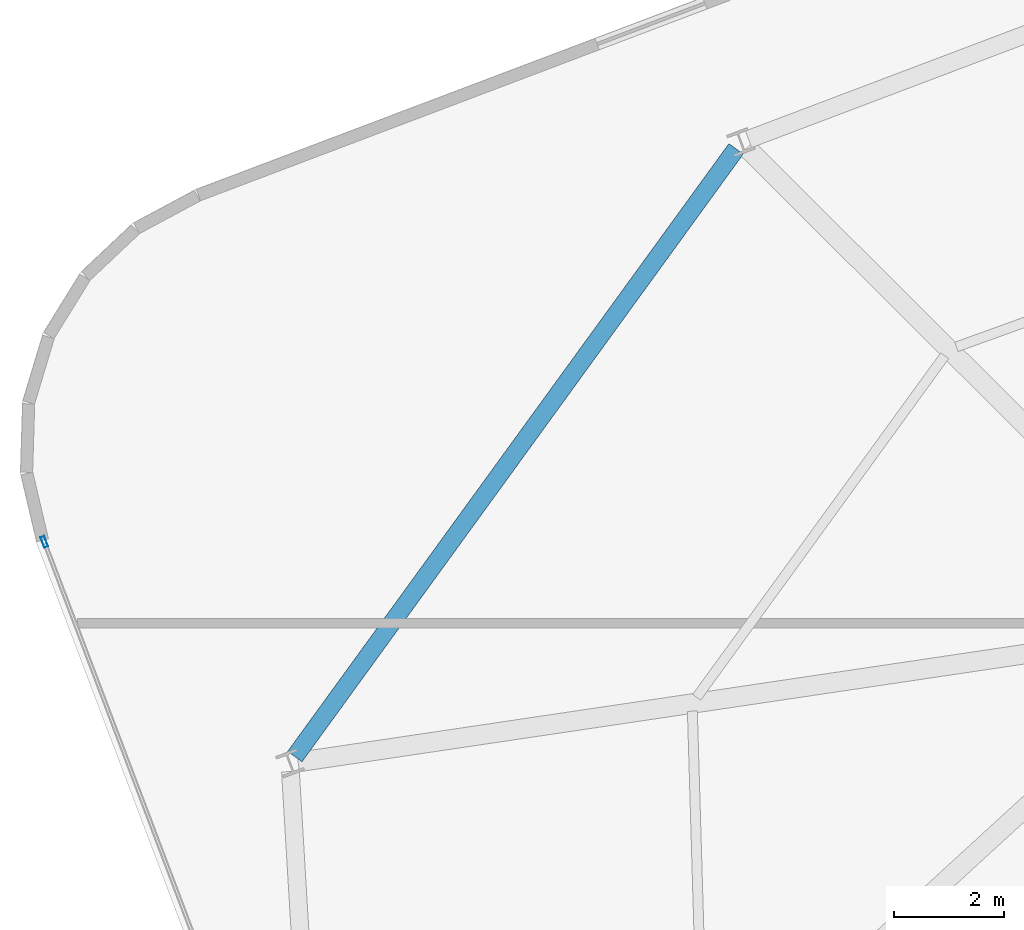
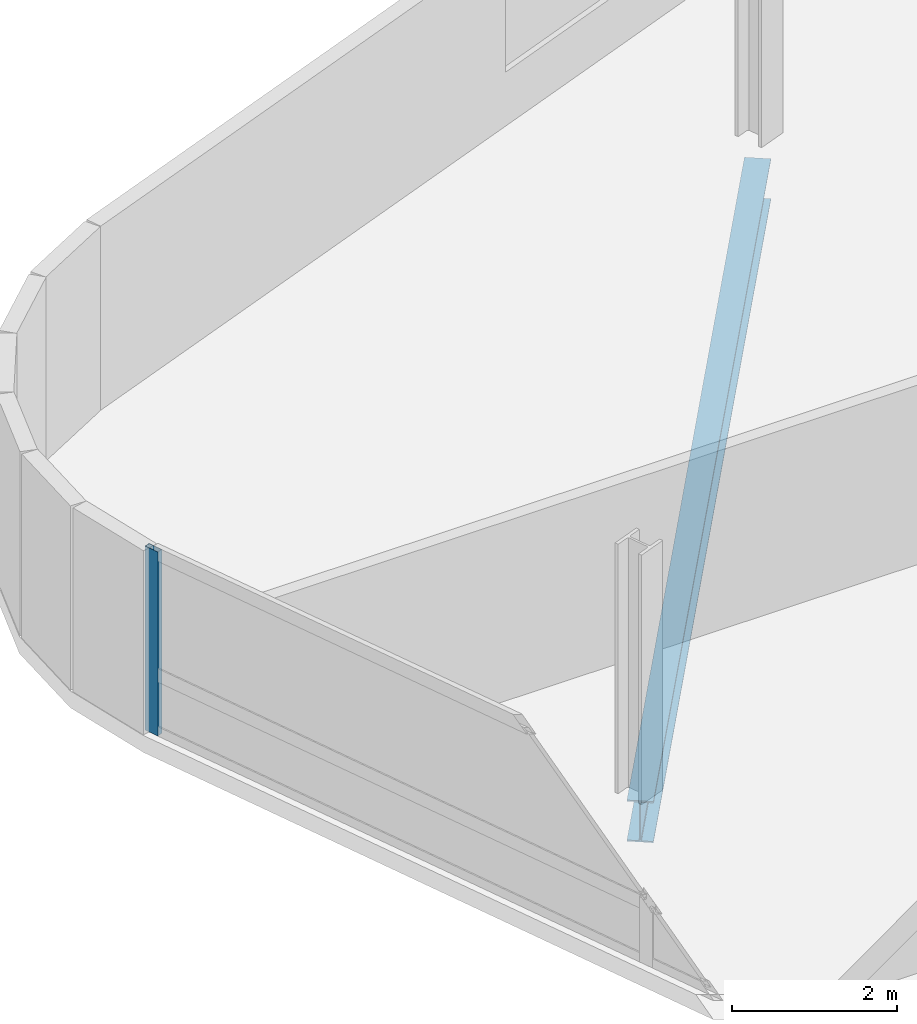
# One storey, part 8 of 20: 1 beam, 1 member, 1 element without a shape of its own.
"""IFC4 building model written with IfcOpenShell, lengths in metres."""

from ifc_helpers import new_model, si_unit, direction, frame, origin, origin_2d, place, context, subcontext, project, spatial, hollow_rectangle, i_section, extrude, material, layer, layer_set, material_profile, profile_set, type_object, element, aggregate, save


model = new_model("IFC4")

# Units and contexts
model_context = context("Model", 3, precision=1e-05, world=origin(), true_north=direction((0.0, 1.0)))
body_context = subcontext(model_context, "Body", "Model", "MODEL_VIEW")
ifc_project = project(units=[si_unit("LENGTHUNIT", "METRE"), si_unit("AREAUNIT", "SQUARE_METRE"), si_unit("VOLUMEUNIT", "CUBIC_METRE"), si_unit("PLANEANGLEUNIT", "RADIAN"), si_unit("MASSUNIT", "GRAM", prefix="KILO")], contexts=[model_context])

# Site, building, storey
site_placement = place(None, origin())
site = spatial("IfcSite", under=ifc_project, at=site_placement, CompositionType="ELEMENT")
building_placement = place(site_placement, origin())
building = spatial("IfcBuilding", under=site, at=building_placement, Name="Varnelok Gate Tower", CompositionType="ELEMENT")
storey_placement = place(building_placement, frame((0.0, 0.0, 216.39990234375)))
storey = spatial("IfcBuildingStorey", under=building, at=storey_placement, Name="L55", CompositionType="ELEMENT", Elevation=216.39990234375)

# Beam
ifc_material_1 = material(Name="Structural Steel ASTM A992 Grade 50", Category="steel")
ifc_material_profile_1 = material_profile(ifc_material_1, i_section(OverallWidth=0.323974609375, OverallDepth=0.611083984375, WebThickness=0.0126953125, FlangeThickness=0.01904296875, FilletRadius=0.01806640625, at=origin_2d()), Name="W24X104")
ifc_profile_set_1 = profile_set([ifc_material_profile_1], Name="Structural Steel ASTM A992 Grade 50")
beam_type = type_object("IfcBeamType", Name="BM-SPN-W24X104", PredefinedType="SPANDREL", material=ifc_profile_set_1)
beam_placement = place(storey_placement, frame((15.479736328125, 35.35009765625, -0.555419921875), z_axis=(-0.587549324529, -0.80918835338, 0.0), x_axis=(0.80918835338, -0.587549324529, 0.0)))
element("IfcBeam", 1, at=beam_placement, inside=storey, type_object=beam_type, Name="L55 Perimeter Spandrel Beam 13", PredefinedType="SPANDREL", context=body_context, shape_type="SweptSolid", body=[
    extrude(i_section(OverallWidth=0.323974609375, OverallDepth=0.611083984375, WebThickness=0.0126953125, FlangeThickness=0.01904296875, FilletRadius=0.01806640625, at=origin_2d()), origin(), (0.0, 0.0, 1.0), 13.6953125),
])

# Curtain wall, member
ifc_material_2 = material(Name="Anodized Aluminum Alloy 6063-T6", Category="aluminium")
ifc_layer = layer(ifc_material_2, 0.179931640625)
ifc_layer_set = layer_set([ifc_layer], Name="Anodized Aluminum Alloy 6063-T6")
curtain_wall_type = type_object("IfcCurtainWallType", Name="CW4-RESIDENCE-VISION", PredefinedType="USERDEFINED", material=ifc_layer_set)
curtain_wall_placement = place(storey_placement, origin())
curtain_wall = element("IfcCurtainWall", 2, at=curtain_wall_placement, inside=storey, type_object=curtain_wall_type, Name="L55 West End Vision Curtain Wall", ObjectType="UNITISED CURTAIN WALL", PredefinedType="USERDEFINED")
ifc_material_profile_2 = material_profile(ifc_material_2, hollow_rectangle(XDim=0.074951171875, YDim=0.199951171875, WallThickness=0.00390625, at=origin_2d()), Name="ALU200X75X4")
ifc_profile_set_2 = profile_set([ifc_material_profile_2], Name="Anodized Aluminum Alloy 6063-T6")
member_type = type_object("IfcMemberType", Name="CW-MULL-200", PredefinedType="MULLION", material=ifc_profile_set_2)
member_placement = place(storey_placement, frame((2.864990234375, 28.1845703125, 0.0), z_axis=(0.0, 0.0, 1.0), x_axis=(-0.935221557832, -0.354063042079, 0.0)))
member = element("IfcMember", 3, at=member_placement, type_object=member_type, Name="CW4 mullion 5", PredefinedType="MULLION", context=body_context, shape_type="SweptSolid", body=[
    extrude(hollow_rectangle(XDim=0.074951171875, YDim=0.199951171875, WallThickness=0.00390625, at=origin_2d()), origin(), (0.0, 0.0, 1.0), 2.72998046875),
])
aggregate(curtain_wall, [member])

save(model, "model.ifc")
